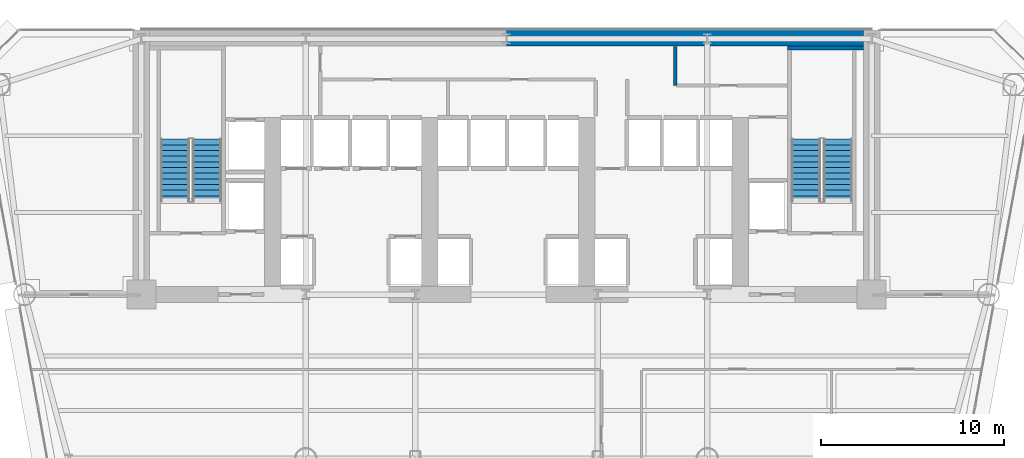
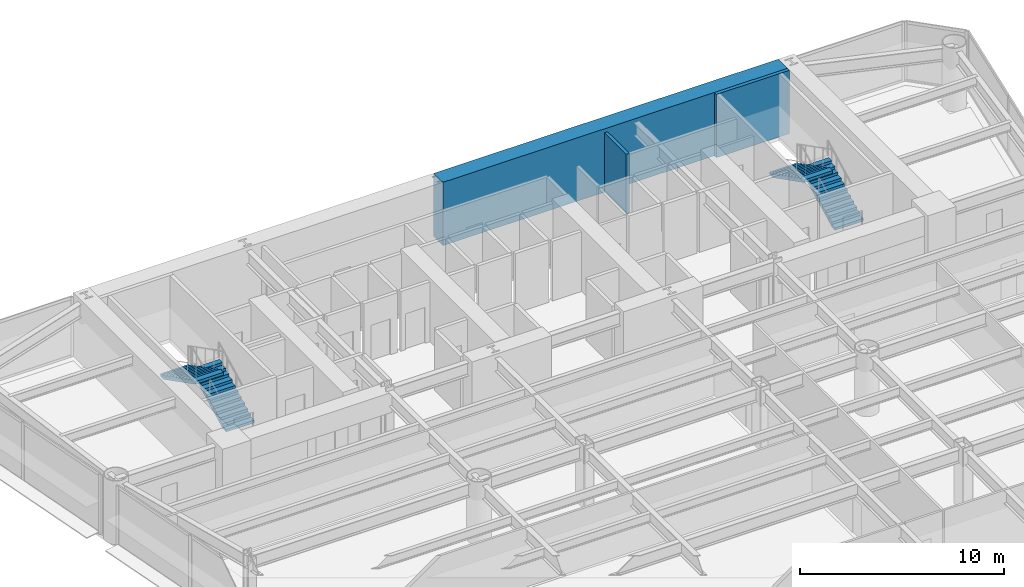
# One storey, part 10 of 14: 4 stair flights, 3 walls, 2 elements without a shape of their own.
"""IFC4 building model written with IfcOpenShell, lengths in metres."""

from ifc_helpers import new_model, si_unit, direction, frame, frame_2d, origin, place, context, subcontext, project, spatial, polyline, rectangle, outline, extrude, material, layer, layer_set, type_object, element, aggregate, save


model = new_model("IFC4")

# Units and contexts
model_context = context("Model", 3, precision=1e-05, world=origin(), true_north=direction((0.0, 1.0)))
body_context = subcontext(model_context, "Body", "Model", "MODEL_VIEW")
ifc_project = project(units=[si_unit("LENGTHUNIT", "METRE"), si_unit("AREAUNIT", "SQUARE_METRE"), si_unit("VOLUMEUNIT", "CUBIC_METRE"), si_unit("PLANEANGLEUNIT", "RADIAN"), si_unit("MASSUNIT", "GRAM", prefix="KILO")], contexts=[model_context])

# Site, building, storey
site_placement = place(None, origin())
site = spatial("IfcSite", under=ifc_project, at=site_placement, CompositionType="ELEMENT")
building_placement = place(site_placement, origin())
building = spatial("IfcBuilding", under=site, at=building_placement, Name="Vaeldorn Concourse Tower", CompositionType="ELEMENT")
storey_placement = place(building_placement, frame((0.0, 0.0, 30.199951171875)))
storey = spatial("IfcBuildingStorey", under=building, at=storey_placement, Name="L07", CompositionType="ELEMENT", Elevation=30.199951171875)

# Walls
ifc_material_1 = material(Name="Concrete C60/75", Category="concrete")
ifc_layer_1 = layer(ifc_material_1, 0.89990234375)
ifc_layer_set_1 = layer_set([ifc_layer_1], Name="Concrete C60/75")
wall_type_1 = type_object("IfcWallType", Name="WL-CORE-900", PredefinedType="SHEAR", material=ifc_layer_set_1)
wall_1_placement = place(storey_placement, frame((34.001953125, 50.550048828125, 0.0), z_axis=(0.0, 0.0, 1.0), x_axis=(1.0, 0.0, 0.0)))
element("IfcWall", 1, at=wall_1_placement, inside=storey, type_object=wall_type_1, Name="Rear Core Shear Wall L07 N2", PredefinedType="SHEAR", context=body_context, shape_type="SweptSolid", body=[
    extrude(rectangle(XDim=19.5439453125, YDim=0.89990234375, at=frame_2d((9.77197265625, 0.0))), origin(), (0.0, 0.0, 1.0), 3.800048828125),
])
ifc_material_2 = material(Name="Gypsum Board Partition", Category="gypsum")
ifc_layer_2 = layer(ifc_material_2, 0.179931640625)
ifc_layer_set_2 = layer_set([ifc_layer_2], Name="Gypsum Board Partition")
wall_type_2 = type_object("IfcWallType", Name="WL-PLUMB-180", PredefinedType="PLUMBINGWALL", material=ifc_layer_set_2)
wall_2_placement = place(storey_placement, frame((43.25, 47.949951171875, 0.0), z_axis=(0.0, 0.0, 1.0), x_axis=(0.0, 1.0, 0.0)))
element("IfcWall", 2, at=wall_2_placement, inside=storey, type_object=wall_type_2, Name="Interior Wall CW-L07-SDIV6", PredefinedType="PLUMBINGWALL", context=body_context, shape_type="SweptSolid", body=[
    extrude(rectangle(XDim=2.130126953125, YDim=0.179931640625, at=frame_2d((1.06494140625, 0.0))), origin(), (0.0, 0.0, 1.0), 3.580078125),
])
ifc_material_3 = material(Name="Concrete C50/60", Category="concrete")
ifc_layer_3 = layer(ifc_material_3, 0.199951171875)
ifc_layer_set_3 = layer_set([ifc_layer_3], Name="Concrete C50/60")
wall_type_3 = type_object("IfcWallType", Name="WL-SHAFT-200", PredefinedType="SOLIDWALL", material=ifc_layer_set_3)
wall_3_placement = place(storey_placement, frame((49.39990234375, 50.0, 0.0), z_axis=(0.0, 0.0, 1.0), x_axis=(1.0, 0.0, 0.0)))
element("IfcWall", 3, at=wall_3_placement, inside=storey, type_object=wall_type_3, Name="Stair Shaft Wall CW-L07-ST-2-N", PredefinedType="SOLIDWALL", context=body_context, shape_type="SweptSolid", body=[
    extrude(rectangle(XDim=4.150146484375, YDim=0.199951171875, at=frame_2d((2.0751953125, 0.0))), origin(), (0.0, 0.0, 1.0), 3.800048828125),
])

# Stair, stair flights
ifc_material_4 = material(Name="Precast concrete C40/50", Category="concrete")
stair_type = type_object("IfcStairType", Name="STR-DOG-24x158", PredefinedType="HALF_TURN_STAIR", material=ifc_material_4)
stair_1_placement = place(storey_placement, origin())
stair_1 = element("IfcStair", 4, at=stair_1_placement, inside=storey, type_object=stair_type, Name="L07 West Core Exit Stair ST-1", PredefinedType="HALF_TURN_STAIR")
stair_flight_type = type_object("IfcStairFlightType", Name="STF-STR-12x158", PredefinedType="STRAIGHT", material=ifc_material_4)
stair_flight_1_placement = place(storey_placement, frame((17.60009765625, 41.60009765625, 0.0), z_axis=(0.0, 0.0, 1.0), x_axis=(0.0, 1.0, 0.0)))
stair_flight_1 = element("IfcStairFlight", 5, at=stair_flight_1_placement, type_object=stair_flight_type, Name="ST-1 flight 1", NumberOfRisers=12, NumberOfTreads=11, PredefinedType="STRAIGHT", RiserHeight=0.158333333, TreadLength=0.31, context=body_context, shape_type="SweptSolid", body=[
    extrude(outline(polyline([(0.0, 0.0), (0.0, 0.158447265625), (0.31005859375, 0.158447265625), (0.31005859375, 0.316650390625), (0.6201171875, 0.316650390625), (0.6201171875, 0.47509765625), (0.929931640625, 0.47509765625), (0.929931640625, 0.63330078125), (1.239990234375, 0.63330078125), (1.239990234375, 0.791748046875), (1.550048828125, 0.791748046875), (1.550048828125, 0.949951171875), (1.860107421875, 0.949951171875), (1.860107421875, 1.1083984375), (2.169921875, 1.1083984375), (2.169921875, 1.2666015625), (2.47998046875, 1.2666015625), (2.47998046875, 1.425048828125), (2.7900390625, 1.425048828125), (2.7900390625, 1.583251953125), (3.10009765625, 1.583251953125), (3.10009765625, 1.74169921875), (3.409912109375, 1.74169921875), (3.409912109375, 1.89990234375), (3.409912109375, 1.5732421875), (0.32958984375, 0.0), (0.0, 0.0)])), frame((0.0, 0.800048828125, 0.0), z_axis=(0.0, -1.0, 0.0), x_axis=(1.0, 0.0, 0.0)), (0.0, 0.0, 1.0), 1.60009765625),
])
stair_flight_2_placement = place(storey_placement, frame((15.85009765625, 45.010009765625, 1.900146484375), z_axis=(0.0, 0.0, 1.0), x_axis=(0.0, -1.0, 0.0)))
stair_flight_2 = element("IfcStairFlight", 6, at=stair_flight_2_placement, type_object=stair_flight_type, Name="ST-1 flight 2", NumberOfRisers=12, NumberOfTreads=11, PredefinedType="STRAIGHT", RiserHeight=0.158333333, TreadLength=0.31, context=body_context, shape_type="SweptSolid", body=[
    extrude(outline(polyline([(0.0, 0.0), (0.0, 0.158447265625), (0.31005859375, 0.158447265625), (0.31005859375, 0.316650390625), (0.6201171875, 0.316650390625), (0.6201171875, 0.47509765625), (0.929931640625, 0.47509765625), (0.929931640625, 0.63330078125), (1.239990234375, 0.63330078125), (1.239990234375, 0.791748046875), (1.550048828125, 0.791748046875), (1.550048828125, 0.949951171875), (1.860107421875, 0.949951171875), (1.860107421875, 1.1083984375), (2.169921875, 1.1083984375), (2.169921875, 1.2666015625), (2.47998046875, 1.2666015625), (2.47998046875, 1.425048828125), (2.7900390625, 1.425048828125), (2.7900390625, 1.583251953125), (3.10009765625, 1.583251953125), (3.10009765625, 1.74169921875), (3.409912109375, 1.74169921875), (3.409912109375, 1.89990234375), (3.409912109375, 1.5732421875), (0.32958984375, 0.0), (0.0, 0.0)])), frame((0.0, 0.800048828125, 0.0), z_axis=(0.0, -1.0, 0.0), x_axis=(1.0, 0.0, 0.0)), (0.0, 0.0, 1.0), 1.60009765625),
])
aggregate(stair_1, [stair_flight_1, stair_flight_2])

stair_2_placement = place(storey_placement, origin())
stair_2 = element("IfcStair", 7, at=stair_2_placement, inside=storey, type_object=stair_type, Name="L07 East Core Exit Stair ST-2", PredefinedType="HALF_TURN_STAIR")
stair_flight_3_placement = place(storey_placement, frame((52.14990234375, 41.60009765625, 0.0), z_axis=(0.0, 0.0, 1.0), x_axis=(0.0, 1.0, 0.0)))
stair_flight_3 = element("IfcStairFlight", 8, at=stair_flight_3_placement, type_object=stair_flight_type, Name="ST-2 flight 1", NumberOfRisers=12, NumberOfTreads=11, PredefinedType="STRAIGHT", RiserHeight=0.158333333, TreadLength=0.31, context=body_context, shape_type="SweptSolid", body=[
    extrude(outline(polyline([(0.0, 0.0), (0.0, 0.158447265625), (0.31005859375, 0.158447265625), (0.31005859375, 0.316650390625), (0.6201171875, 0.316650390625), (0.6201171875, 0.47509765625), (0.929931640625, 0.47509765625), (0.929931640625, 0.63330078125), (1.239990234375, 0.63330078125), (1.239990234375, 0.791748046875), (1.550048828125, 0.791748046875), (1.550048828125, 0.949951171875), (1.860107421875, 0.949951171875), (1.860107421875, 1.1083984375), (2.169921875, 1.1083984375), (2.169921875, 1.2666015625), (2.47998046875, 1.2666015625), (2.47998046875, 1.425048828125), (2.7900390625, 1.425048828125), (2.7900390625, 1.583251953125), (3.10009765625, 1.583251953125), (3.10009765625, 1.74169921875), (3.409912109375, 1.74169921875), (3.409912109375, 1.89990234375), (3.409912109375, 1.5732421875), (0.32958984375, 0.0), (0.0, 0.0)])), frame((0.0, 0.800048828125, 0.0), z_axis=(0.0, -1.0, 0.0), x_axis=(1.0, 0.0, 0.0)), (0.0, 0.0, 1.0), 1.60009765625),
])
stair_flight_4_placement = place(storey_placement, frame((50.39990234375, 45.010009765625, 1.900146484375), z_axis=(0.0, 0.0, 1.0), x_axis=(0.0, -1.0, 0.0)))
stair_flight_4 = element("IfcStairFlight", 9, at=stair_flight_4_placement, type_object=stair_flight_type, Name="ST-2 flight 2", NumberOfRisers=12, NumberOfTreads=11, PredefinedType="STRAIGHT", RiserHeight=0.158333333, TreadLength=0.31, context=body_context, shape_type="SweptSolid", body=[
    extrude(outline(polyline([(0.0, 0.0), (0.0, 0.158447265625), (0.31005859375, 0.158447265625), (0.31005859375, 0.316650390625), (0.6201171875, 0.316650390625), (0.6201171875, 0.47509765625), (0.929931640625, 0.47509765625), (0.929931640625, 0.63330078125), (1.239990234375, 0.63330078125), (1.239990234375, 0.791748046875), (1.550048828125, 0.791748046875), (1.550048828125, 0.949951171875), (1.860107421875, 0.949951171875), (1.860107421875, 1.1083984375), (2.169921875, 1.1083984375), (2.169921875, 1.2666015625), (2.47998046875, 1.2666015625), (2.47998046875, 1.425048828125), (2.7900390625, 1.425048828125), (2.7900390625, 1.583251953125), (3.10009765625, 1.583251953125), (3.10009765625, 1.74169921875), (3.409912109375, 1.74169921875), (3.409912109375, 1.89990234375), (3.409912109375, 1.5732421875), (0.32958984375, 0.0), (0.0, 0.0)])), frame((0.0, 0.800048828125, 0.0), z_axis=(0.0, -1.0, 0.0), x_axis=(1.0, 0.0, 0.0)), (0.0, 0.0, 1.0), 1.60009765625),
])
aggregate(stair_2, [stair_flight_3, stair_flight_4])

save(model, "model.ifc")
